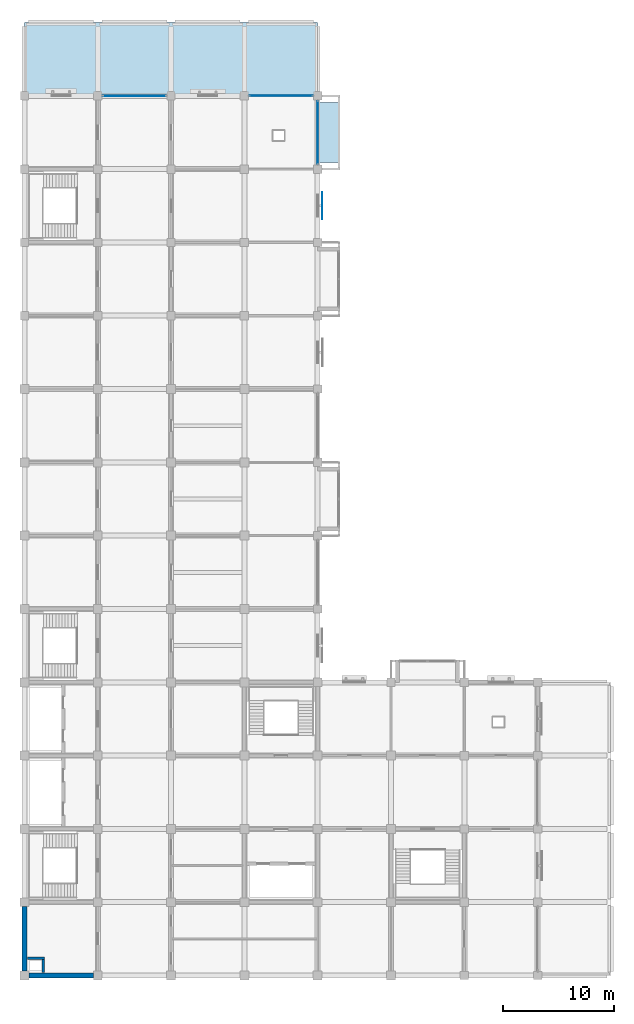
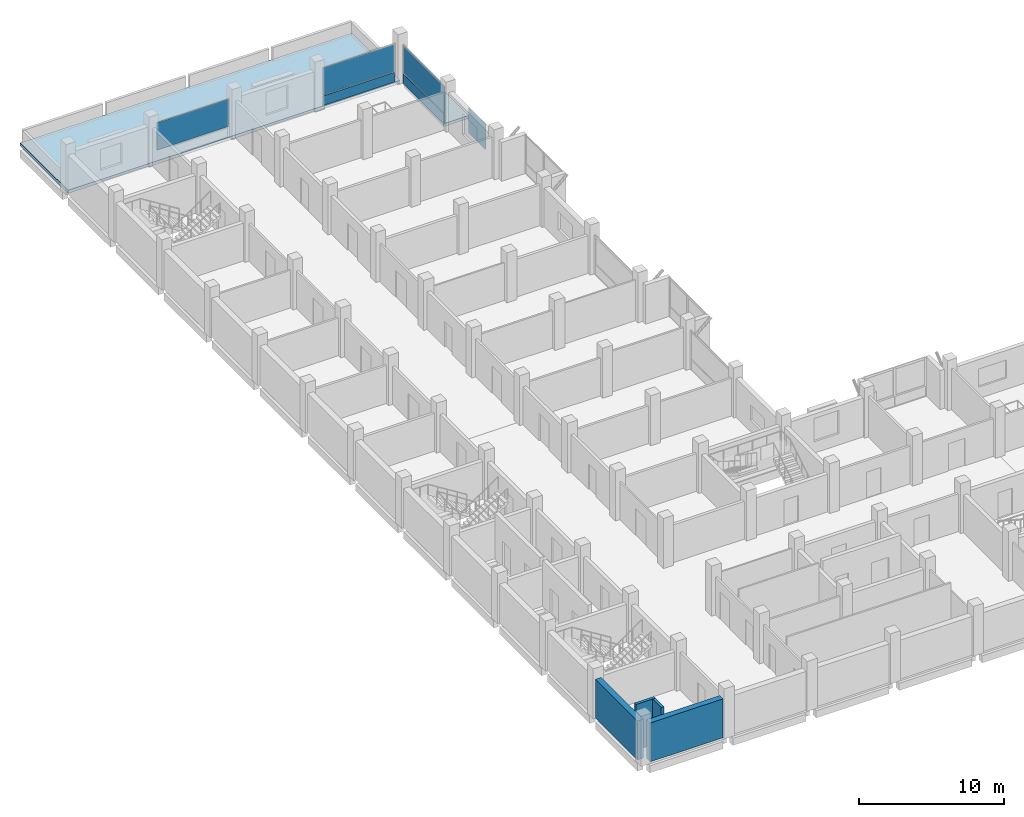
# One storey, part 7 of 15: 6 plates, 4 walls, 2 slabs, 3 elements without a shape of their own.
"""IFC4 building model written with IfcOpenShell, lengths in metres."""

import ifcopenshell
import ifcopenshell.guid

model = None  # the IFC model being written
_history = None  # IfcOwnerHistory: only IFC2X3 demands one
_inside = {}  # id of a spatial element -> (the spatial element, [elements in it])
_under = {}  # id of a project, library or spatial element -> (it, [spatial elements below it])
_declared = {}  # id of a project -> (the project, [libraries it declares])
_typed = {}  # id of a type object -> (the type object, [elements of that type])
_made_of = {}  # id of a material, layer set ... -> (it, [elements and type objects made of it])


def new_model(schema):
    """Start an empty IFC model of exactly this schema.

    Asked for "IFC4X3", IfcOpenShell would pick the latest addendum, in which some entities
    have other attributes; the version numbers below select the first issue.
    IFC2X3 requires an IfcOwnerHistory on every rooted entity: one is made here for all.
    """
    global model, _history
    if schema == "IFC4X3":
        model = ifcopenshell.file(schema_version=(4, 3, 0, 0))
    else:
        model = ifcopenshell.file(schema=schema)
    _inside.clear()
    _under.clear()
    _declared.clear()
    _typed.clear()
    _made_of.clear()
    _history = None
    if model.schema == "IFC2X3":
        org = make("IfcOrganization", Name="unknown")
        user = make(
            "IfcPersonAndOrganization",
            ThePerson=make("IfcPerson", FamilyName="unknown"),
            TheOrganization=org,
        )
        app = make(
            "IfcApplication",
            ApplicationDeveloper=org,
            Version="unknown",
            ApplicationFullName="unknown",
            ApplicationIdentifier="unknown",
        )
        _history = make(
            "IfcOwnerHistory",
            OwningUser=user,
            OwningApplication=app,
            ChangeAction="ADDED",
            CreationDate=0,
        )
    return model


def make(cls, **values):
    """One entity of the class cls with the attributes given. An attribute that is None is left unset."""
    return model.create_entity(
        cls, **{name: value for name, value in values.items() if value is not None}
    )


def rooted(cls, **values):
    """An entity with a GlobalId (a new one), such as an element, a storey or a relation."""
    return make(cls, GlobalId=ifcopenshell.guid.new(), OwnerHistory=_history, **values)


def si_unit(unit_type, name, prefix=None):
    """IfcSIUnit, for example si_unit("LENGTHUNIT", "METRE", prefix="MILLI")."""
    return make("IfcSIUnit", UnitType=unit_type, Prefix=prefix, Name=name)


def assignment(units):
    """IfcUnitAssignment: the units of a project."""
    return None if units is None else make("IfcUnitAssignment", Units=units)


def point(xyz):
    """IfcCartesianPoint."""
    return None if xyz is None else make("IfcCartesianPoint", Coordinates=xyz)


def direction(xyz):
    """IfcDirection."""
    return None if xyz is None else make("IfcDirection", DirectionRatios=xyz)


def frame(location, z_axis=None, x_axis=None):
    """IfcAxis2Placement3D, a coordinate frame: its origin and axes. An axis left out is left unset."""
    return make(
        "IfcAxis2Placement3D",
        Location=point(location),
        Axis=direction(z_axis),
        RefDirection=direction(x_axis),
    )


def frame_2d(location, x_axis=None):
    """IfcAxis2Placement2D, a coordinate frame in the plane: its origin and x axis."""
    return make(
        "IfcAxis2Placement2D", Location=point(location), RefDirection=direction(x_axis)
    )


def origin():
    """The frame at (0, 0, 0) with its axes left unset."""
    return frame((0.0, 0.0, 0.0))


def origin_2d():
    """The frame at (0, 0) in the plane with its x axis left unset."""
    return frame_2d((0.0, 0.0))


def place(relative_to, where):
    """IfcLocalPlacement: puts the frame where relative to a parent placement (None: the world)."""
    return make(
        "IfcLocalPlacement", PlacementRelTo=relative_to, RelativePlacement=where
    )


def context(
    kind, dimensions, precision=None, world=None, true_north=None, identifier=None
):
    """IfcGeometricRepresentationContext, for example the 3D "Model" context."""
    return make(
        "IfcGeometricRepresentationContext",
        ContextIdentifier=identifier,
        ContextType=kind,
        CoordinateSpaceDimension=dimensions,
        Precision=precision,
        WorldCoordinateSystem=world,
        TrueNorth=true_north,
    )


def subcontext(parent, identifier, kind, view, scale=None):
    """IfcGeometricRepresentationSubContext, for example "Body" below "Model"."""
    return make(
        "IfcGeometricRepresentationSubContext",
        ContextIdentifier=identifier,
        ContextType=kind,
        ParentContext=parent,
        TargetScale=scale,
        TargetView=view,
    )


def project(units=None, contexts=None):
    """IfcProject with its units and contexts."""
    return rooted(
        "IfcProject",
        Name="project",
        RepresentationContexts=contexts,
        UnitsInContext=assignment(units),
    )


def spatial(cls, under=None, at=None, **own):
    """A site, building, storey or space (cls), placed at a placement, below another one or the project."""
    s = rooted(cls, ObjectPlacement=at, **own)
    if under is not None:
        _under.setdefault(under.id(), (under, []))[1].append(s)
    return s


def polyline(points):
    """IfcPolyline through the points."""
    return make("IfcPolyline", Points=[point(p) for p in points])


def profile(cls, at=None, kind="AREA", **sizes):
    """A parametric profile (cls). Its sizes go by their IFC names, for example OverallWidth=200.0."""
    return make(cls, ProfileType=kind, Position=at, **sizes)


def rectangle(**sizes):
    """IfcRectangleProfileDef."""
    return profile("IfcRectangleProfileDef", **sizes)


def outline(outer, holes=None, kind="AREA"):
    """IfcArbitraryClosedProfileDef: a profile drawn as a closed curve; with holes, ...WithVoids."""
    if holes is None:
        return make("IfcArbitraryClosedProfileDef", ProfileType=kind, OuterCurve=outer)
    return make(
        "IfcArbitraryProfileDefWithVoids",
        ProfileType=kind,
        OuterCurve=outer,
        InnerCurves=holes,
    )


def extrude(swept, where, along, depth):
    """IfcExtrudedAreaSolid: the profile swept, set in the frame where, extruded along a direction by depth."""
    return make(
        "IfcExtrudedAreaSolid",
        SweptArea=swept,
        Position=where,
        ExtrudedDirection=direction(along),
        Depth=depth,
    )


def shape(context_of_items, identifier, shape_type, items):
    """IfcShapeRepresentation: the items that make up one representation, for example the "Body"."""
    return make(
        "IfcShapeRepresentation",
        ContextOfItems=context_of_items,
        RepresentationIdentifier=identifier,
        RepresentationType=shape_type,
        Items=items,
    )


def material(Name=None, Category=None):
    """IfcMaterial."""
    return make("IfcMaterial", Name=Name, Category=Category)


def layer(
    of_material, thickness, ventilated=None, Name=None, Category=None, Priority=None
):
    """IfcMaterialLayer: one layer of a wall or slab, of a material (None: an air gap)."""
    return make(
        "IfcMaterialLayer",
        Material=of_material,
        LayerThickness=thickness,
        IsVentilated=ventilated,
        Name=Name,
        Category=Category,
        Priority=Priority,
    )


def layer_set(layers, Name=None):
    """IfcMaterialLayerSet."""
    return make("IfcMaterialLayerSet", MaterialLayers=layers, LayerSetName=Name)


def made_of(thing, what):
    """Note that an element or type object is made of a material, layer set ...; save() writes the relation."""
    if what is not None:
        _made_of.setdefault(what.id(), (what, []))[1].append(thing)
    return thing


def type_object(cls, material=None, **own):
    """A type object (cls), such as IfcWallType, which elements share."""
    return made_of(rooted(cls, **own), material)


def element(
    cls,
    number,
    at=None,
    inside=None,
    cuts=None,
    type_object=None,
    material=None,
    context=None,
    identifier="Body",
    shape_type=None,
    held_by="IfcProductDefinitionShape",
    body=None,
    shapes=None,
    **own,
):
    """One element of the class cls, such as IfcWall. Its Tag is "e" and its number.

    at: its placement. inside: the storey or other place that contains it. cuts: it is an
    opening in that element (IfcRelVoidsElement). A single representation is given by context,
    identifier, shape_type and body (its items); several are given by shapes. held_by: the class
    of the entity that holds the representations. save() writes the other relations.
    """
    e = rooted(cls, Tag="e%d" % number, ObjectPlacement=at, **own)
    if body is not None:
        shapes = [shape(context, identifier, shape_type, body)]
    if shapes is not None:
        e.Representation = make(held_by, Representations=shapes)
    if inside is not None:
        _inside.setdefault(inside.id(), (inside, []))[1].append(e)
    if cuts is not None:
        rooted(
            "IfcRelVoidsElement", RelatingBuildingElement=cuts, RelatedOpeningElement=e
        )
    if type_object is not None:
        _typed.setdefault(type_object.id(), (type_object, []))[1].append(e)
    return made_of(e, material)


def aggregate(whole, parts):
    """IfcRelAggregates: a whole, such as a stair, and the parts it consists of."""
    return rooted("IfcRelAggregates", RelatingObject=whole, RelatedObjects=parts)


def save(model, path):
    """Write the relations noted so far, then the file.

    IfcRelAggregates (storeys below a building ...), IfcRelContainedInSpatialStructure (elements
    in a storey), IfcRelDefinesByType, IfcRelAssociatesMaterial and IfcRelDeclares: one each for
    every whole, place, type object, material and project.
    """
    for whole, parts in _under.values():
        aggregate(whole, parts)
    for where, things in _inside.values():
        rooted(
            "IfcRelContainedInSpatialStructure",
            RelatedElements=things,
            RelatingStructure=where,
        )
    for kind, things in _typed.values():
        rooted("IfcRelDefinesByType", RelatedObjects=things, RelatingType=kind)
    for what, things in _made_of.values():
        rooted("IfcRelAssociatesMaterial", RelatedObjects=things, RelatingMaterial=what)
    for by, libraries in _declared.values():
        rooted("IfcRelDeclares", RelatingContext=by, RelatedDefinitions=libraries)
    model.write(path)


model = new_model("IFC4")

# Units and contexts
model_context = context("Model", 3, precision=1e-05, world=origin(), true_north=direction((0.0, 1.0)))
body_context = subcontext(model_context, "Body", "Model", "MODEL_VIEW")
ifc_project = project(units=[si_unit("LENGTHUNIT", "METRE"), si_unit("AREAUNIT", "SQUARE_METRE"), si_unit("VOLUMEUNIT", "CUBIC_METRE"), si_unit("PLANEANGLEUNIT", "RADIAN"), si_unit("MASSUNIT", "GRAM", prefix="KILO")], contexts=[model_context])

# Site, building, storey
site_placement = place(None, origin())
site = spatial("IfcSite", under=ifc_project, at=site_placement, CompositionType="ELEMENT")
building_placement = place(site_placement, origin())
building = spatial("IfcBuilding", under=site, at=building_placement, Name="Rusizi Kubbe Research Institute", CompositionType="ELEMENT")
storey_placement = place(building_placement, frame((0.0, 0.0, 27.0)))
storey = spatial("IfcBuildingStorey", under=building, at=storey_placement, Name="L06", CompositionType="ELEMENT", Elevation=27.0)

# Curtain wall, plate
ifc_material_1 = material(Name="Thermally Broken Aluminium and Low-E Glazing", Category="aluminium")
curtain_wall_type_1 = type_object("IfcCurtainWallType", Name="CW-08", PredefinedType="NOTDEFINED", material=ifc_material_1)
curtain_wall_1_placement = place(storey_placement, origin())
curtain_wall_1 = element("IfcCurtainWall", 1, at=curtain_wall_1_placement, inside=storey, type_object=curtain_wall_type_1, Name="Unitised Facade Curtain Wall CW-L06-H-03-12", PredefinedType="NOTDEFINED")
ifc_material_2 = material(Name="Double Low-E Solar Control Insulated Glass", Category="glass")
ifc_layer_1 = layer(ifc_material_2, 0.028076171875)
ifc_layer_set_1 = layer_set([ifc_layer_1], Name="Double Low-E Solar Control Insulated Glass")
plate_type_1 = type_object("IfcPlateType", Name="GL-02", PredefinedType="CURTAIN_PANEL", material=ifc_layer_set_1)
plate_1_placement = place(storey_placement, frame((23.10009765625, 79.199951171875, 0.93017578125), z_axis=(0.0, 0.0, 1.0), x_axis=(1.0, 0.0, 0.0)))
plate_1 = element("IfcPlate", 2, at=plate_1_placement, type_object=plate_type_1, Name="CW-08 panel 1.2", PredefinedType="CURTAIN_PANEL", context=body_context, shape_type="SweptSolid", body=[
    extrude(rectangle(XDim=5.669921875, YDim=0.028076171875, at=origin_2d()), origin(), (0.0, 0.0, 1.0), 2.280029296875),
])

ifc_material_3 = material(Name="Thermally Broken Aluminium and Low-E Glazing", Category="aluminium")
curtain_wall_type_2 = type_object("IfcCurtainWallType", Name="CW-09", PredefinedType="NOTDEFINED", material=ifc_material_3)
curtain_wall_2_placement = place(storey_placement, origin())
curtain_wall_2 = element("IfcCurtainWall", 3, at=curtain_wall_2_placement, inside=storey, type_object=curtain_wall_type_2, Name="Unitised Facade Curtain Wall CW-L06-V-04-11", PredefinedType="NOTDEFINED")
ifc_material_4 = material(Name="Double Low-E Solar Control Insulated Glass", Category="glass")
ifc_layer_2 = layer(ifc_material_4, 0.031982421875)
ifc_layer_set_2 = layer_set([ifc_layer_2], Name="Double Low-E Solar Control Insulated Glass")
plate_type_2 = type_object("IfcPlateType", Name="GL-03", PredefinedType="CURTAIN_PANEL", material=ifc_layer_set_2)
plate_2_placement = place(storey_placement, frame((26.39990234375, 75.89990234375, 0.9326171875), z_axis=(0.0, 0.0, 1.0), x_axis=(0.0, 1.0, 0.0)))
plate_2 = element("IfcPlate", 4, at=plate_2_placement, type_object=plate_type_2, Name="CW-09 panel 1.2", PredefinedType="CURTAIN_PANEL", context=body_context, shape_type="SweptSolid", body=[
    extrude(rectangle(XDim=5.659912109375, YDim=0.031982421875, at=origin_2d()), origin(), (0.0, 0.0, 1.0), 2.2724609375),
])

curtain_wall_3_placement = place(storey_placement, origin())
curtain_wall_3 = element("IfcCurtainWall", 5, at=curtain_wall_3_placement, inside=storey, type_object=curtain_wall_type_2, Name="Unitised Facade Curtain Wall CW-L06-H-01-12", PredefinedType="NOTDEFINED")
ifc_material_5 = material(Name="Double Low-E Solar Control Insulated Glass", Category="glass")
ifc_layer_3 = layer(ifc_material_5, 0.0400390625)
ifc_layer_set_3 = layer_set([ifc_layer_3], Name="Double Low-E Solar Control Insulated Glass")
plate_type_3 = type_object("IfcPlateType", Name="GL-05", PredefinedType="CURTAIN_PANEL", material=ifc_layer_set_3)
plate_3_placement = place(storey_placement, frame((9.89990234375, 79.199951171875, 0.93017578125), z_axis=(0.0, 0.0, 1.0), x_axis=(1.0, 0.0, 0.0)))
plate_3 = element("IfcPlate", 6, at=plate_3_placement, type_object=plate_type_3, Name="CW-09 panel 1.2", PredefinedType="CURTAIN_PANEL", context=body_context, shape_type="SweptSolid", body=[
    extrude(rectangle(XDim=5.659912109375, YDim=0.0400390625, at=origin_2d()), origin(), (0.0, 0.0, 1.0), 2.280029296875),
])
aggregate(curtain_wall_3, [plate_3])

# Plate
ifc_material_6 = material(Name="Perforated Architectural Bronze Screen", Category="steel")
ifc_layer_4 = layer(ifc_material_6, 0.01806640625)
ifc_layer_set_4 = layer_set([ifc_layer_4], Name="Perforated Architectural Bronze Screen")
plate_type_4 = type_object("IfcPlateType", Name="MS-01", PredefinedType="SHEET", material=ifc_layer_set_4)
plate_4_placement = place(storey_placement, frame((26.8125, 69.300048828125, 0.760009765625), z_axis=(0.0, 0.0, 1.0), x_axis=(0.0, 1.0, 0.0)))
element("IfcPlate", 7, at=plate_4_placement, inside=storey, type_object=plate_type_4, Name="Mashrabiya Perforated Screen MS-01-054", PredefinedType="SHEET", context=body_context, shape_type="SweptSolid", body=[
    extrude(rectangle(XDim=2.39990234375, YDim=0.01806640625, at=origin_2d()), origin(), (0.0, 0.0, 1.0), 2.1201171875),
])

# Slabs
ifc_material_7 = material(Name="Concrete C40/50", Category="concrete")
ifc_layer_5 = layer(ifc_material_7, 0.235107421875)
ifc_layer_set_5 = layer_set([ifc_layer_5], Name="Concrete C40/50")
slab_type_1 = type_object("IfcSlabType", Name="SL-R235", PredefinedType="ROOF", material=ifc_layer_set_5)
slab_1_placement = place(storey_placement, frame((0.0, 0.0, -0.235107421875)))
element("IfcSlab", 8, at=slab_1_placement, inside=storey, type_object=slab_type_1, Name="Cumba Oriel Roof Cap L05 (4,11)", PredefinedType="ROOF", context=body_context, shape_type="SweptSolid", body=[
    extrude(outline(polyline([(26.39990234375, 73.199951171875), (28.39990234375, 73.199951171875), (28.39990234375, 78.60009765625), (26.39990234375, 78.60009765625), (26.39990234375, 73.199951171875)])), origin(), (0.0, 0.0, 1.0), 0.235107421875),
])
ifc_material_8 = material(Name="Concrete C40/50", Category="concrete")
ifc_layer_6 = layer(ifc_material_8, 0.260009765625)
ifc_layer_set_6 = layer_set([ifc_layer_6], Name="Concrete C40/50")
slab_type_2 = type_object("IfcSlabType", Name="SL-R260", PredefinedType="ROOF", material=ifc_layer_set_6)
slab_2_placement = place(storey_placement, frame((0.0, 0.0, -0.260009765625)))
element("IfcSlab", 9, at=slab_2_placement, inside=storey, type_object=slab_type_2, Name="Stepback Maintenance Roof Slab L06-2", PredefinedType="ROOF", context=body_context, shape_type="SweptSolid", body=[
    extrude(outline(polyline([(13.199951171875, 85.800048828125), (19.800048828125, 85.800048828125), (26.39990234375, 85.800048828125), (26.39990234375, 79.205078125), (0.0, 79.205078125), (0.0, 85.800048828125), (6.60009765625, 85.800048828125), (13.199951171875, 85.800048828125)])), origin(), (0.0, 0.0, 1.0), 0.260009765625),
])

# Plate
ifc_material_9 = material(Name="Ceramic-Frit Insulated Spandrel Panel", Category="glass")
ifc_layer_7 = layer(ifc_material_9, 0.06396484375)
ifc_layer_set_7 = layer_set([ifc_layer_7], Name="Ceramic-Frit Insulated Spandrel Panel")
plate_type_5 = type_object("IfcPlateType", Name="SP-02", PredefinedType="CURTAIN_PANEL", material=ifc_layer_set_7)
plate_5_placement = place(storey_placement, frame((23.10009765625, 79.199951171875, 0.06005859375), z_axis=(0.0, 0.0, 1.0), x_axis=(1.0, 0.0, 0.0)))
plate_5 = element("IfcPlate", 10, at=plate_5_placement, type_object=plate_type_5, Name="CW-08 panel 1.1", PredefinedType="CURTAIN_PANEL", context=body_context, shape_type="SweptSolid", body=[
    extrude(rectangle(XDim=5.669921875, YDim=0.06396484375, at=origin_2d()), origin(), (0.0, 0.0, 1.0), 0.81005859375),
])

aggregate(curtain_wall_1, [plate_5, plate_1])

ifc_material_10 = material(Name="Ceramic-Frit Insulated Spandrel Panel", Category="glass")
ifc_layer_8 = layer(ifc_material_10, 0.070068359375)
ifc_layer_set_8 = layer_set([ifc_layer_8], Name="Ceramic-Frit Insulated Spandrel Panel")
plate_type_6 = type_object("IfcPlateType", Name="SP-03", PredefinedType="CURTAIN_PANEL", material=ifc_layer_set_8)
plate_6_placement = place(storey_placement, frame((26.39990234375, 75.89990234375, 0.06494140625), z_axis=(0.0, 0.0, 1.0), x_axis=(0.0, 1.0, 0.0)))
plate_6 = element("IfcPlate", 11, at=plate_6_placement, type_object=plate_type_6, Name="CW-09 panel 1.1", PredefinedType="CURTAIN_PANEL", context=body_context, shape_type="SweptSolid", body=[
    extrude(rectangle(XDim=5.659912109375, YDim=0.070068359375, at=origin_2d()), origin(), (0.0, 0.0, 1.0), 0.802490234375),
])

aggregate(curtain_wall_2, [plate_6, plate_2])

# Walls
ifc_material_11 = material(Name="Concrete Blockwork Fire Partition", Category="masonry")
ifc_layer_9 = layer(ifc_material_11, 0.22509765625)
ifc_layer_set_9 = layer_set([ifc_layer_9], Name="Concrete Blockwork Fire Partition")
wall_type_1 = type_object("IfcWallType", Name="IW-01", PredefinedType="PARTITIONING", material=ifc_layer_set_9)
wall_1_placement = place(storey_placement, frame((1.679931640625, 0.260009765625, 0.0), z_axis=(0.0, 0.0, 1.0), x_axis=(0.0, 1.0, 0.0)))
element("IfcWall", 12, at=wall_1_placement, inside=storey, type_object=wall_type_1, Name="Riser Shaft Wall E L06", PredefinedType="PARTITIONING", context=body_context, shape_type="SweptSolid", body=[
    extrude(rectangle(XDim=1.169921875, YDim=0.22509765625, at=frame_2d((0.5849609375, 0.0))), origin(), (0.0, 0.0, 1.0), 3.8701171875),
])
wall_2_placement = place(storey_placement, frame((0.260009765625, 1.550048828125, 0.0), z_axis=(0.0, 0.0, 1.0), x_axis=(1.0, 0.0, 0.0)))
element("IfcWall", 13, at=wall_2_placement, inside=storey, type_object=wall_type_1, Name="Riser Shaft Wall N L06", PredefinedType="PARTITIONING", context=body_context, shape_type="SweptSolid", body=[
    extrude(rectangle(XDim=1.5400390625, YDim=0.22509765625, at=frame_2d((0.77001953125, 0.0))), origin(), (0.0, 0.0, 1.0), 3.8701171875),
])
ifc_material_12 = material(Name="Concrete C40/50", Category="concrete")
ifc_layer_10 = layer(ifc_material_12, 0.4599609375)
ifc_layer_set_10 = layer_set([ifc_layer_10], Name="Concrete C40/50")
wall_type_2 = type_object("IfcWallType", Name="PW-02", PredefinedType="SOLIDWALL", material=ifc_layer_set_10)
for number, where, z_axis, x_axis, name in (
    (14, (0.39990234375, 0.0, 0.0), (0.0, 0.0, 1.0), (1.0, 0.0, 0.0), "Blind Party Wall L06 H0-0"),
    (15, (0.0, 0.39990234375, 0.0), (0.0, 0.0, 1.0), (0.0, 1.0, 0.0), "Blind Party Wall L06 V0-0"),
):
    element("IfcWall", number, at=place(storey_placement, frame(where, z_axis=z_axis, x_axis=x_axis)), inside=storey, type_object=wall_type_2, Name=name, PredefinedType="SOLIDWALL", context=body_context, shape_type="SweptSolid", body=[
        extrude(rectangle(XDim=5.800048828125, YDim=0.4599609375, at=frame_2d((2.89990234375, 0.0))), origin(), (0.0, 0.0, 1.0), 3.27001953125),
    ])

save(model, "model.ifc")
